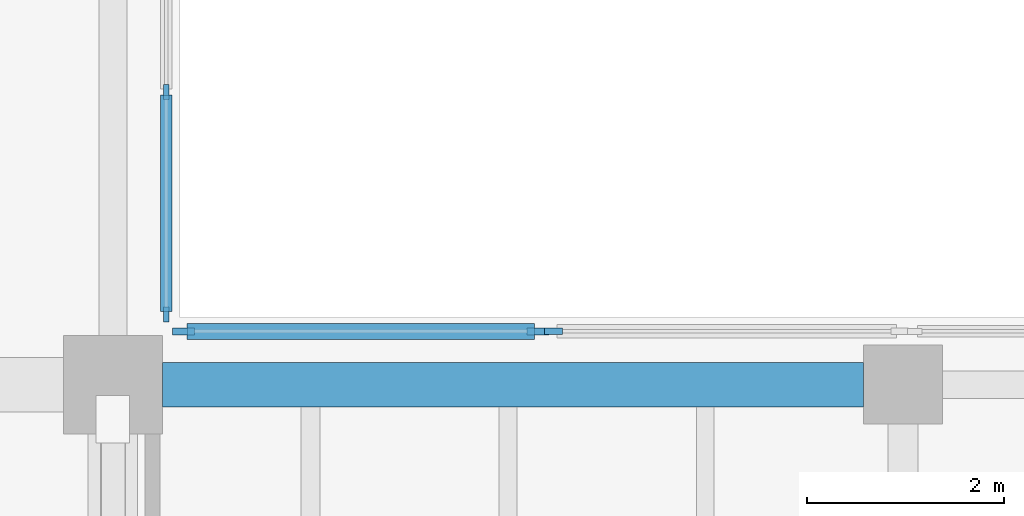
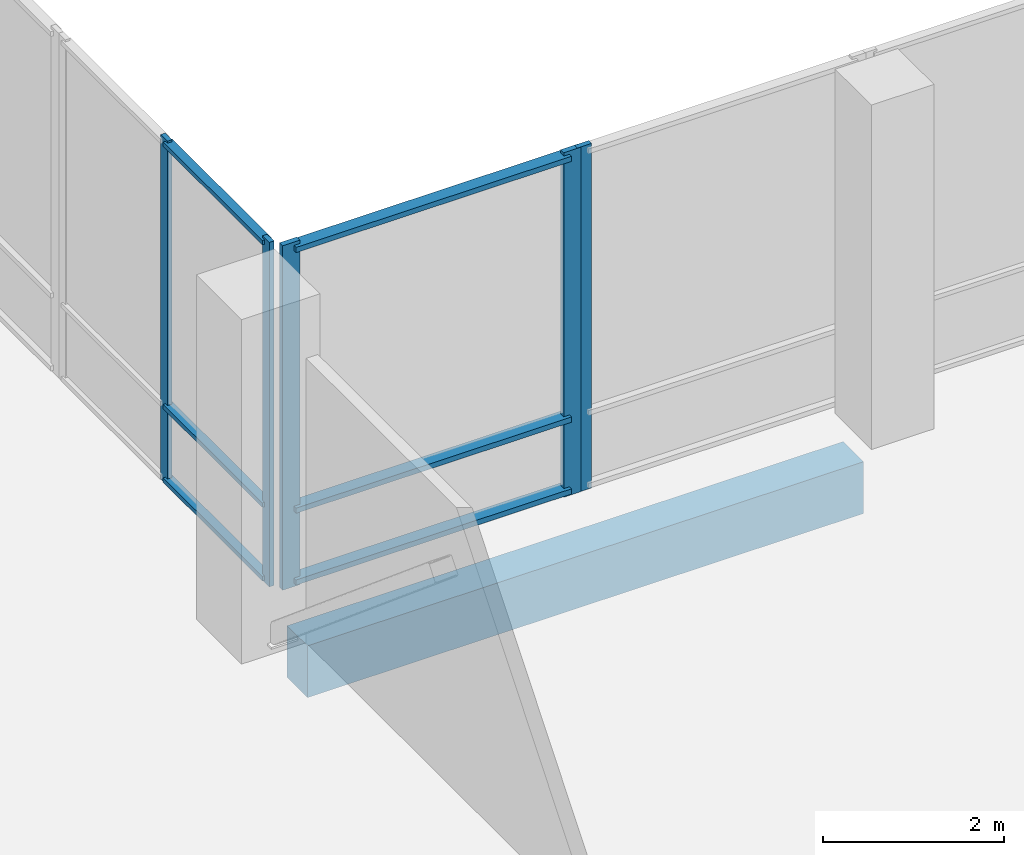
# One storey, part 22 of 60: 11 members, 1 beam, 3 elements without a shape of their own.
"""IFC4 building model written with IfcOpenShell, lengths in metres."""

from ifc_helpers import new_model, si_unit, direction, frame, origin, origin_2d, place, context, subcontext, project, spatial, rectangle, extrude, material, material_profile, profile_set, type_object, element, aggregate, save


model = new_model("IFC4")

# Units and contexts
model_context = context("Model", 3, precision=1e-05, world=origin(), true_north=direction((0.0, 1.0)))
body_context = subcontext(model_context, "Body", "Model", "MODEL_VIEW")
ifc_project = project(units=[si_unit("LENGTHUNIT", "METRE"), si_unit("AREAUNIT", "SQUARE_METRE"), si_unit("VOLUMEUNIT", "CUBIC_METRE"), si_unit("PLANEANGLEUNIT", "RADIAN"), si_unit("MASSUNIT", "GRAM", prefix="KILO")], contexts=[model_context])

# Site, building, storey
site_placement = place(None, origin())
site = spatial("IfcSite", under=ifc_project, at=site_placement, CompositionType="ELEMENT")
building_placement = place(site_placement, origin())
building = spatial("IfcBuilding", under=site, at=building_placement, Name="Trimount Lyric Opera House", CompositionType="ELEMENT")
storey_placement = place(building_placement, frame((0.0, 0.0, 15.0)))
storey = spatial("IfcBuildingStorey", under=building, at=storey_placement, Name="L03", CompositionType="ELEMENT", Elevation=15.0)

# Curtain wall, members
ifc_material_1 = material(Name="Thermally Broken Aluminium and Low-E Glass", Category="aluminium")
curtain_wall_type = type_object("IfcCurtainWallType", Name="CW-03", PredefinedType="NOTDEFINED", material=ifc_material_1)
curtain_wall_1_placement = place(storey_placement, origin())
curtain_wall_1 = element("IfcCurtainWall", 1, at=curtain_wall_1_placement, inside=storey, type_object=curtain_wall_type, Name="L03 curtain wall 249", PredefinedType="NOTDEFINED")
ifc_material_2 = material(Name="Anodised Aluminium 6063-T6", Category="aluminium")
ifc_material_profile_1 = material_profile(ifc_material_2, rectangle(XDim=0.070068359375, YDim=0.219970703125, at=origin_2d()), Name="ALU-MULL-70X220")
ifc_profile_set_1 = profile_set([ifc_material_profile_1], Name="Anodised Aluminium 6063-T6")
member_type_1 = type_object("IfcMemberType", Name="ML-01", PredefinedType="MULLION", material=ifc_profile_set_1)
member_1_placement = place(storey_placement, frame((122.715087890625, 74.5400390625, 0.0), z_axis=(0.0, 0.0, 1.0), x_axis=(0.0, 1.0, 0.0)))
member_1 = element("IfcMember", 2, at=member_1_placement, type_object=member_type_1, Name="CW-03 mullion 1", PredefinedType="MULLION", context=body_context, shape_type="SweptSolid", body=[
    extrude(rectangle(XDim=0.070068359375, YDim=0.219970703125, at=origin_2d()), origin(), (0.0, 0.0, 1.0), 4.64990234375),
])
member_2_placement = place(storey_placement, frame((126.304931640625, 74.5400390625, 0.0), z_axis=(0.0, 0.0, 1.0), x_axis=(0.0, 1.0, 0.0)))
member_2 = element("IfcMember", 3, at=member_2_placement, type_object=member_type_1, Name="CW-03 mullion 2", PredefinedType="MULLION", context=body_context, shape_type="SweptSolid", body=[
    extrude(rectangle(XDim=0.070068359375, YDim=0.219970703125, at=origin_2d()), origin(), (0.0, 0.0, 1.0), 4.64990234375),
])

# Curtain wall, member
curtain_wall_2_placement = place(storey_placement, origin())
curtain_wall_2 = element("IfcCurtainWall", 4, at=curtain_wall_2_placement, inside=storey, type_object=curtain_wall_type, Name="L03 curtain wall 250", PredefinedType="NOTDEFINED")
ifc_material_3 = material(Name="Anodised Aluminium 6063-T6", Category="aluminium")
ifc_material_profile_2 = material_profile(ifc_material_3, rectangle(XDim=0.06494140625, YDim=0.179931640625, at=origin_2d()), Name="ALU-MULL-65X180")
ifc_profile_set_2 = profile_set([ifc_material_profile_2], Name="Anodised Aluminium 6063-T6")
member_type_2 = type_object("IfcMemberType", Name="ML-02", PredefinedType="MULLION", material=ifc_profile_set_2)
member_3_placement = place(storey_placement, frame((126.46240234375, 74.5400390625, 0.0), z_axis=(0.0, 0.0, 1.0), x_axis=(0.0, 1.0, 0.0)))
member_3 = element("IfcMember", 5, at=member_3_placement, type_object=member_type_2, Name="CW-03 mullion 1", PredefinedType="MULLION", context=body_context, shape_type="SweptSolid", body=[
    extrude(rectangle(XDim=0.06494140625, YDim=0.179931640625, at=origin_2d()), origin(), (0.0, 0.0, 1.0), 4.64990234375),
])
aggregate(curtain_wall_2, [member_3])

# Curtain wall, members
curtain_wall_3_placement = place(storey_placement, origin())
curtain_wall_3 = element("IfcCurtainWall", 6, at=curtain_wall_3_placement, inside=storey, type_object=curtain_wall_type, Name="L03 curtain wall 248", PredefinedType="NOTDEFINED")
ifc_material_4 = material(Name="Anodised Aluminium 6063-T6", Category="aluminium")
ifc_material_profile_3 = material_profile(ifc_material_4, rectangle(XDim=0.06005859375, YDim=0.14990234375, at=origin_2d()), Name="ALU-MULL-60X150")
ifc_profile_set_3 = profile_set([ifc_material_profile_3], Name="Anodised Aluminium 6063-T6")
member_type_3 = type_object("IfcMemberType", Name="ML-03", PredefinedType="MULLION", material=ifc_profile_set_3)
member_4_placement = place(storey_placement, frame((122.5400390625, 76.965087890625, 0.0), z_axis=(0.0, 0.0, 1.0), x_axis=(1.0, 0.0, 0.0)))
member_4 = element("IfcMember", 7, at=member_4_placement, type_object=member_type_3, Name="CW-03 mullion 2", PredefinedType="MULLION", context=body_context, shape_type="SweptSolid", body=[
    extrude(rectangle(XDim=0.06005859375, YDim=0.14990234375, at=origin_2d()), origin(), (0.0, 0.0, 1.0), 4.64990234375),
])
member_5_placement = place(storey_placement, frame((122.5400390625, 74.7099609375, 0.0), z_axis=(0.0, 0.0, 1.0), x_axis=(1.0, 0.0, 0.0)))
member_5 = element("IfcMember", 8, at=member_5_placement, type_object=member_type_3, Name="CW-03 mullion 3", PredefinedType="MULLION", context=body_context, shape_type="SweptSolid", body=[
    extrude(rectangle(XDim=0.06005859375, YDim=0.14990234375, at=origin_2d()), origin(), (0.0, 0.0, 1.0), 4.64990234375),
])

# Beam
ifc_material_5 = material(Name="Concrete C40/50", Category="concrete")
ifc_material_profile_4 = material_profile(ifc_material_5, rectangle(XDim=0.449951171875, YDim=0.699951171875, at=origin_2d()), Name="RC450X700")
ifc_profile_set_4 = profile_set([ifc_material_profile_4], Name="Concrete C40/50")
beam_type = type_object("IfcBeamType", Name="SP-02", PredefinedType="SPANDREL", material=ifc_profile_set_4)
beam_placement = place(storey_placement, frame((122.5, 74.0, -0.6201171875), z_axis=(1.0, 0.0, 0.0), x_axis=(0.0, 1.0, 0.0)))
element("IfcBeam", 9, at=beam_placement, inside=storey, type_object=beam_type, Name="L03 girder X-0986", PredefinedType="SPANDREL", context=body_context, shape_type="SweptSolid", body=[
    extrude(rectangle(XDim=0.449951171875, YDim=0.699951171875, at=origin_2d()), origin(), (0.0, 0.0, 1.0), 7.10009765625),
])

# Member
ifc_material_6 = material(Name="Anodised Aluminium 6063-T6", Category="aluminium")
ifc_material_profile_5 = material_profile(ifc_material_6, rectangle(XDim=0.159912109375, YDim=0.070068359375, at=origin_2d()), Name="ALU-TRAN-70X160")
ifc_profile_set_5 = profile_set([ifc_material_profile_5], Name="Anodised Aluminium 6063-T6")
member_type_4 = type_object("IfcMemberType", Name="TR-01", PredefinedType="USERDEFINED", material=ifc_profile_set_5)
member_6_placement = place(storey_placement, frame((122.75, 74.5400390625, 0.080078125), z_axis=(1.0, 0.0, 0.0), x_axis=(0.0, 1.0, 0.0)))
member_6 = element("IfcMember", 10, at=member_6_placement, type_object=member_type_4, Name="CW-03 transom 1.1", ObjectType="TRANSOM", PredefinedType="USERDEFINED", context=body_context, shape_type="SweptSolid", body=[
    extrude(rectangle(XDim=0.159912109375, YDim=0.070068359375, at=origin_2d()), origin(), (0.0, 0.0, 1.0), 3.52001953125),
])

member_7_placement = place(storey_placement, frame((122.75, 74.5400390625, 1.050048828125), z_axis=(1.0, 0.0, 0.0), x_axis=(0.0, 1.0, 0.0)))
member_7 = element("IfcMember", 11, at=member_7_placement, type_object=member_type_4, Name="CW-03 transom 1.2", ObjectType="TRANSOM", PredefinedType="USERDEFINED", context=body_context, shape_type="SweptSolid", body=[
    extrude(rectangle(XDim=0.159912109375, YDim=0.070068359375, at=origin_2d()), origin(), (0.0, 0.0, 1.0), 3.52001953125),
])

member_8_placement = place(storey_placement, frame((122.75, 74.5400390625, 4.570068359375), z_axis=(1.0, 0.0, 0.0), x_axis=(0.0, 1.0, 0.0)))
member_8 = element("IfcMember", 12, at=member_8_placement, type_object=member_type_4, Name="CW-03 transom 1.3", ObjectType="TRANSOM", PredefinedType="USERDEFINED", context=body_context, shape_type="SweptSolid", body=[
    extrude(rectangle(XDim=0.159912109375, YDim=0.070068359375, at=origin_2d()), origin(), (0.0, 0.0, 1.0), 3.52001953125),
])

aggregate(curtain_wall_1, [member_1, member_2, member_6, member_7, member_8])

ifc_material_7 = material(Name="Anodised Aluminium 6063-T6", Category="aluminium")
ifc_material_profile_6 = material_profile(ifc_material_7, rectangle(XDim=0.114990234375, YDim=0.06005859375, at=origin_2d()), Name="ALU-TRAN-60X115")
ifc_profile_set_6 = profile_set([ifc_material_profile_6], Name="Anodised Aluminium 6063-T6")
member_type_5 = type_object("IfcMemberType", Name="TR-03", PredefinedType="USERDEFINED", material=ifc_profile_set_6)
member_9_placement = place(storey_placement, frame((122.5400390625, 76.93505859375, 0.0576171875), z_axis=(0.0, -1.0, 0.0), x_axis=(1.0, 0.0, 0.0)))
member_9 = element("IfcMember", 13, at=member_9_placement, type_object=member_type_5, Name="CW-03 transom 2.1", ObjectType="TRANSOM", PredefinedType="USERDEFINED", context=body_context, shape_type="SweptSolid", body=[
    extrude(rectangle(XDim=0.114990234375, YDim=0.06005859375, at=origin_2d()), origin(), (0.0, 0.0, 1.0), 2.195068359375),
])

member_10_placement = place(storey_placement, frame((122.5400390625, 76.93505859375, 1.050048828125), z_axis=(0.0, -1.0, 0.0), x_axis=(1.0, 0.0, 0.0)))
member_10 = element("IfcMember", 14, at=member_10_placement, type_object=member_type_5, Name="CW-03 transom 2.2", ObjectType="TRANSOM", PredefinedType="USERDEFINED", context=body_context, shape_type="SweptSolid", body=[
    extrude(rectangle(XDim=0.114990234375, YDim=0.06005859375, at=origin_2d()), origin(), (0.0, 0.0, 1.0), 2.195068359375),
])

member_11_placement = place(storey_placement, frame((122.5400390625, 76.93505859375, 4.592529296875), z_axis=(0.0, -1.0, 0.0), x_axis=(1.0, 0.0, 0.0)))
member_11 = element("IfcMember", 15, at=member_11_placement, type_object=member_type_5, Name="CW-03 transom 2.3", ObjectType="TRANSOM", PredefinedType="USERDEFINED", context=body_context, shape_type="SweptSolid", body=[
    extrude(rectangle(XDim=0.114990234375, YDim=0.06005859375, at=origin_2d()), origin(), (0.0, 0.0, 1.0), 2.195068359375),
])

aggregate(curtain_wall_3, [member_4, member_5, member_9, member_10, member_11])

save(model, "model.ifc")
